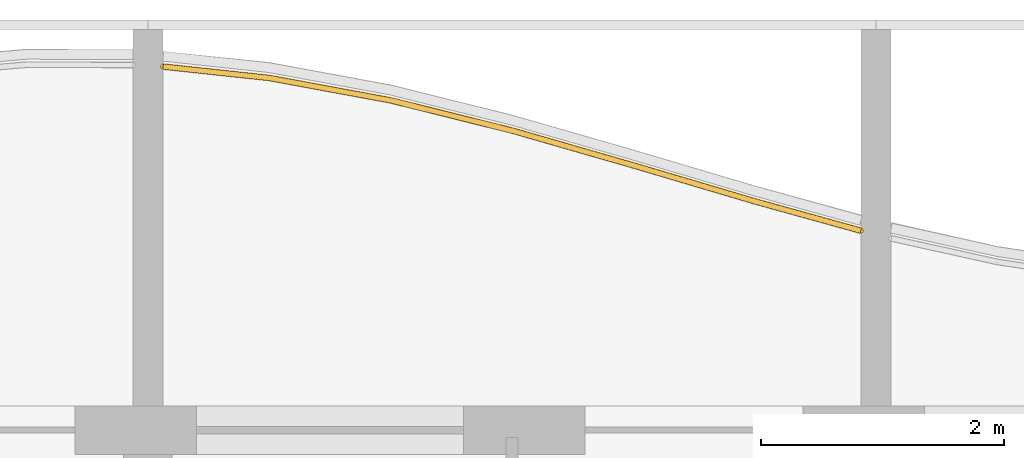
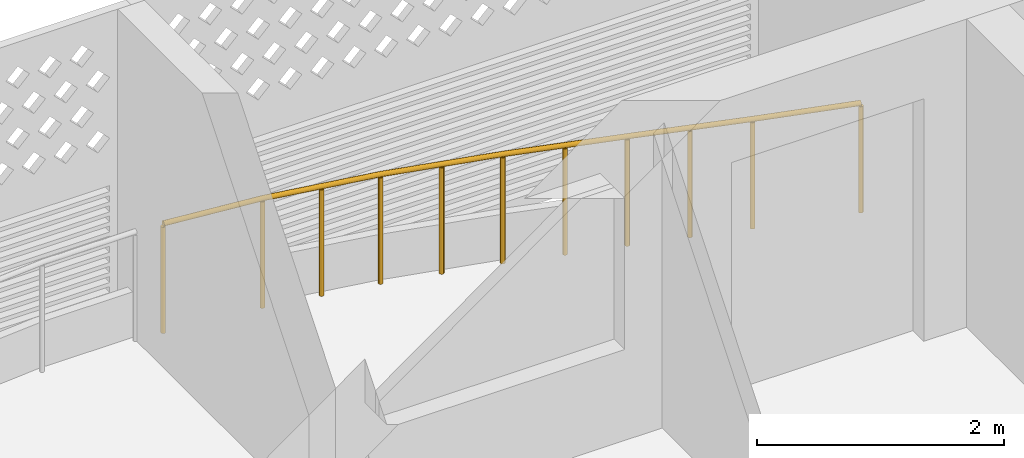
# One storey, part 37 of 40: 1 railing.
"""IFC4 building model written with IfcOpenShell, lengths in metres."""

from ifc_helpers import new_model, si_unit, direction, frame, origin, origin_2d, place, context, subcontext, project, spatial, circle, extrude, material, type_object, element, save


model = new_model("IFC4")

# Units and contexts
model_context = context("Model", 3, precision=1e-05, world=origin(), true_north=direction((0.0, 1.0)))
body_context = subcontext(model_context, "Body", "Model", "MODEL_VIEW")
ifc_project = project(units=[si_unit("LENGTHUNIT", "METRE"), si_unit("AREAUNIT", "SQUARE_METRE"), si_unit("VOLUMEUNIT", "CUBIC_METRE"), si_unit("PLANEANGLEUNIT", "RADIAN"), si_unit("MASSUNIT", "GRAM", prefix="KILO")], contexts=[model_context])

# Site, building, storey
site_placement = place(None, origin())
site = spatial("IfcSite", under=ifc_project, at=site_placement, CompositionType="ELEMENT")
building_placement = place(site_placement, origin())
building = spatial("IfcBuilding", under=site, at=building_placement, Name="Poui Terraces", CompositionType="ELEMENT")
storey_placement = place(building_placement, frame((0.0, 0.0, 39.89990234375)))
storey = spatial("IfcBuildingStorey", under=building, at=storey_placement, Name="L10", CompositionType="ELEMENT", Elevation=39.89990234375)

# Railing
ifc_material = material(Name="Painted steel fretwork", Category="steel")
railing_type = type_object("IfcRailingType", Name="BALCONY GUARD 1100", PredefinedType="GUARDRAIL", material=ifc_material)
railing_placement = place(storey_placement, frame((84.125, 47.7958984375, 0.0)))
element("IfcRailing", 1, at=railing_placement, inside=storey, type_object=railing_type, Name="BALCONY GUARD", PredefinedType="GUARDRAIL", context=body_context, shape_type="SweptSolid", body=[
    extrude(circle(Radius=0.02392578125, at=origin_2d()), frame((0.0, 0.0, 1.076171875), z_axis=(0.99430915392, -0.106533123634, 0.0), x_axis=(0.106533123634, 0.99430915392, 0.0)), (0.0, 0.0, 1.0), 0.880126953125),
    extrude(circle(Radius=0.02392578125, at=origin_2d()), frame((0.875, -0.09375, 1.076171875), z_axis=(0.983390092547, -0.181504616691, 0.0), x_axis=(0.181504616691, 0.983390092547, 0.0)), (0.0, 0.0, 1.0), 1.016845703125),
    extrude(circle(Radius=0.02392578125, at=origin_2d()), frame((1.875, -0.2783203125, 1.076171875), z_axis=(0.970476070643, -0.241197421854, 0.0), x_axis=(0.241197421854, 0.970476070643, 0.0)), (0.0, 0.0, 1.0), 1.030517578125),
    extrude(circle(Radius=0.02392578125, at=origin_2d()), frame((2.875, -0.52685546875, 1.076171875), z_axis=(0.961106681232, -0.276177383743, 0.0), x_axis=(0.276177383743, 0.961106681232, 0.0)), (0.0, 0.0, 1.0), 1.04052734375),
    extrude(circle(Radius=0.02392578125, at=origin_2d()), frame((3.875, -0.814208984375, 1.076171875), z_axis=(0.958901964879, -0.283737593123, 0.0), x_axis=(0.283737593123, 0.958901964879, 0.0)), (0.0, 0.0, 1.0), 1.04296875),
    extrude(circle(Radius=0.02392578125, at=origin_2d()), frame((4.875, -1.110107421875, 1.076171875), z_axis=(0.963694902628, -0.267005870064, 0.0), x_axis=(0.267005870064, 0.963694902628, 0.0)), (0.0, 0.0, 1.0), 0.907958984375),
    extrude(circle(Radius=0.02099609375, at=origin_2d()), origin(), (0.0, 0.0, 1.0), 1.052001953125),
    extrude(circle(Radius=0.02099609375, at=origin_2d()), frame((0.875, -0.09375, 0.0)), (0.0, 0.0, 1.0), 1.052001953125),
    extrude(circle(Radius=0.02099609375, at=origin_2d()), frame((1.375, -0.18603515625, 0.0)), (0.0, 0.0, 1.0), 1.052001953125),
    extrude(circle(Radius=0.02099609375, at=origin_2d()), frame((1.875, -0.2783203125, 0.0)), (0.0, 0.0, 1.0), 1.052001953125),
    extrude(circle(Radius=0.02099609375, at=origin_2d()), frame((2.375, -0.402587890625, 0.0)), (0.0, 0.0, 1.0), 1.052001953125),
    extrude(circle(Radius=0.02099609375, at=origin_2d()), frame((2.875, -0.52685546875, 0.0)), (0.0, 0.0, 1.0), 1.052001953125),
    extrude(circle(Radius=0.02099609375, at=origin_2d()), frame((3.375, -0.67041015625, 0.0)), (0.0, 0.0, 1.0), 1.052001953125),
    extrude(circle(Radius=0.02099609375, at=origin_2d()), frame((3.875, -0.814208984375, 0.0)), (0.0, 0.0, 1.0), 1.052001953125),
    extrude(circle(Radius=0.02099609375, at=origin_2d()), frame((4.375, -0.962158203125, 0.0)), (0.0, 0.0, 1.0), 1.052001953125),
    extrude(circle(Radius=0.02099609375, at=origin_2d()), frame((4.875, -1.110107421875, 0.0)), (0.0, 0.0, 1.0), 1.052001953125),
    extrude(circle(Radius=0.02099609375, at=origin_2d()), frame((5.75, -1.3525390625, 0.0)), (0.0, 0.0, 1.0), 1.052001953125),
])

save(model, "model.ifc")
